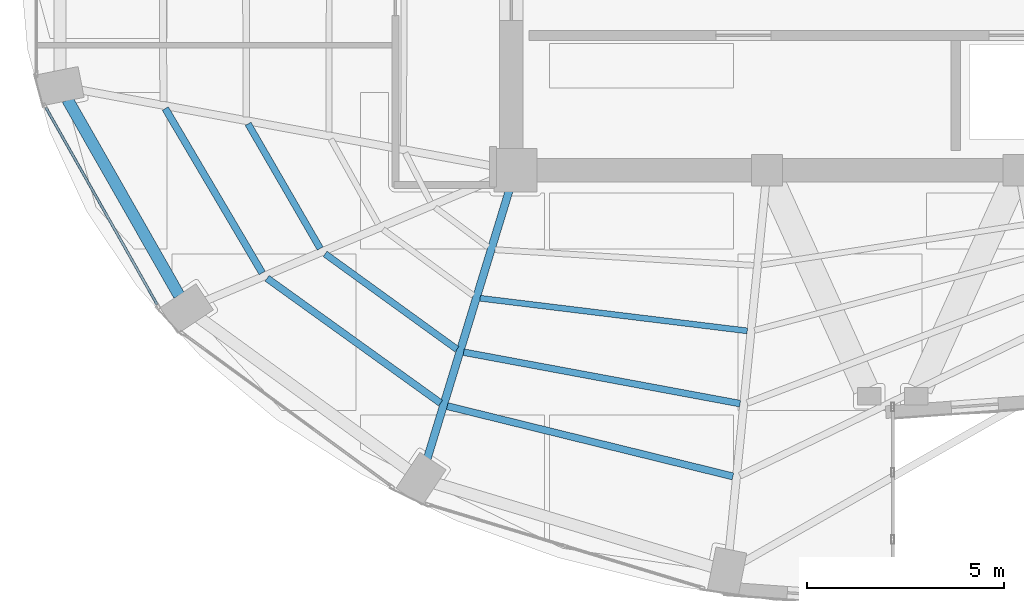
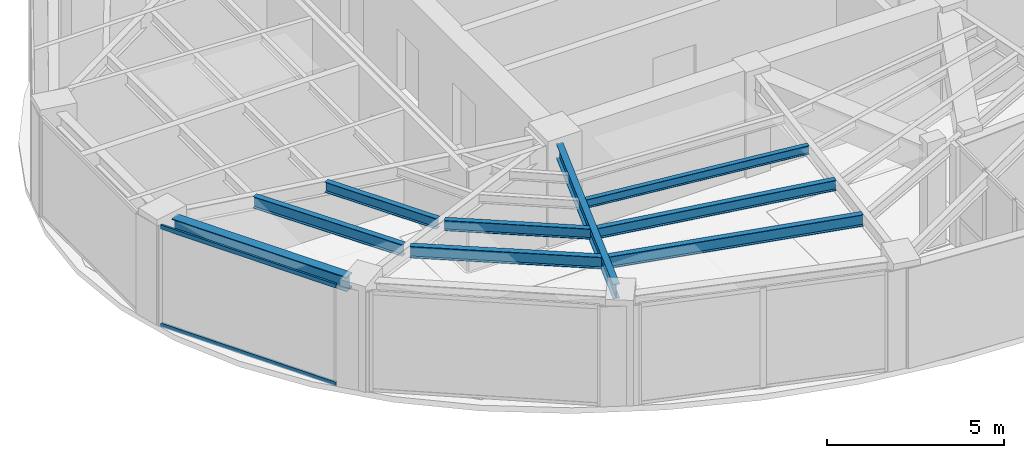
# One storey, part 3 of 23: 9 beams, 2 members, 1 element without a shape of its own.
"""IFC4 building model written with IfcOpenShell, lengths in metres."""

from ifc_helpers import new_model, si_unit, direction, frame, origin, origin_2d, place, context, subcontext, project, spatial, hollow_rectangle, i_section, extrude, material, layer, layer_set, material_profile, profile_set, type_object, element, aggregate, save


model = new_model("IFC4")

# Units and contexts
model_context = context("Model", 3, precision=1e-05, world=origin(), true_north=direction((0.0, 1.0)))
body_context = subcontext(model_context, "Body", "Model", "MODEL_VIEW")
ifc_project = project(units=[si_unit("LENGTHUNIT", "METRE"), si_unit("AREAUNIT", "SQUARE_METRE"), si_unit("VOLUMEUNIT", "CUBIC_METRE"), si_unit("PLANEANGLEUNIT", "RADIAN"), si_unit("MASSUNIT", "GRAM", prefix="KILO")], contexts=[model_context])

# Site, building, storey
site_placement = place(None, origin())
site = spatial("IfcSite", under=ifc_project, at=site_placement, CompositionType="ELEMENT")
building_placement = place(site_placement, origin())
building = spatial("IfcBuilding", under=site, at=building_placement, Name="Lazwardi Medical Tower", CompositionType="ELEMENT")
storey_placement = place(building_placement, frame((0.0, 0.0, 205.77587890625)))
storey = spatial("IfcBuildingStorey", under=building, at=storey_placement, Name="L53", CompositionType="ELEMENT", Elevation=205.77587890625)

# Beams
ifc_material_1 = material(Name="Steel S355", Category="steel")
ifc_material_profile_1 = material_profile(ifc_material_1, i_section(OverallWidth=0.300048828125, OverallDepth=0.5, WebThickness=0.014404296875, FlangeThickness=0.028076171875, at=origin_2d()), Name="HEB 500")
ifc_profile_set_1 = profile_set([ifc_material_profile_1], Name="Steel S355")
beam_type_1 = type_object("IfcBeamType", Name="BM-RB-Z4", PredefinedType="BEAM", material=ifc_profile_set_1)
beam_1_placement = place(storey_placement, frame((15.008056640625, 22.1982421875, 3.1982421875), z_axis=(0.495125273299, -0.868821594886, 0.0), x_axis=(0.868821594886, 0.495125273299, 0.0)))
element("IfcBeam", 1, at=beam_1_placement, inside=storey, type_object=beam_type_1, Name="Ring beam RB-05 B13 L53", PredefinedType="BEAM", context=body_context, shape_type="SweptSolid", body=[
    extrude(i_section(OverallWidth=0.300048828125, OverallDepth=0.5, WebThickness=0.014404296875, FlangeThickness=0.028076171875, at=origin_2d()), origin(), (0.0, 0.0, 1.0), 5.734130859375),
])
ifc_material_profile_2 = material_profile(ifc_material_1, i_section(OverallWidth=0.199951171875, OverallDepth=0.5, WebThickness=0.01025390625, FlangeThickness=0.01611328125, at=origin_2d()), Name="IPE 500")
ifc_profile_set_2 = profile_set([ifc_material_profile_2], Name="Steel S355")
beam_type_2 = type_object("IfcBeamType", Name="BM-RG-W3", PredefinedType="BEAM", material=ifc_profile_set_2)
beam_2_placement = place(storey_placement, frame((24.156005859375, 13.0576171875, 3.1982421875), z_axis=(0.292276716539, 0.956333791607, 0.0), x_axis=(-0.956333791607, 0.292276716539, 0.0)))
element("IfcBeam", 2, at=beam_2_placement, inside=storey, type_object=beam_type_2, Name="Radial girder RG-04 R15 L53", PredefinedType="BEAM", context=body_context, shape_type="SweptSolid", body=[
    extrude(i_section(OverallWidth=0.199951171875, OverallDepth=0.5, WebThickness=0.01025390625, FlangeThickness=0.01611328125, at=origin_2d()), origin(), (0.0, 0.0, 1.0), 7.142822265625),
])
ifc_material_profile_3 = material_profile(ifc_material_1, i_section(OverallWidth=0.179931640625, OverallDepth=0.39990234375, WebThickness=0.008544921875, FlangeThickness=0.013427734375, at=origin_2d()), Name="IPE 400")
ifc_profile_set_3 = profile_set([ifc_material_profile_3], Name="Steel S355")
beam_type_3 = type_object("IfcBeamType", Name="BM-SJ-01", PredefinedType="JOIST", material=ifc_profile_set_3)
beam_3_placement = place(storey_placement, frame((17.495849609375, 21.969482421875, 3.248046875), z_axis=(0.507710311367, -0.861527851977, 0.0), x_axis=(0.861527851977, 0.507710311367, 0.0)))
element("IfcBeam", 3, at=beam_3_placement, inside=storey, type_object=beam_type_3, Name="Secondary joist SJ-01 R1 B13 L53", PredefinedType="JOIST", context=body_context, shape_type="SweptSolid", body=[
    extrude(i_section(OverallWidth=0.179931640625, OverallDepth=0.39990234375, WebThickness=0.008544921875, FlangeThickness=0.013427734375, at=origin_2d()), origin(), (0.0, 0.0, 1.0), 4.852783203125),
])
beam_4_placement = place(storey_placement, frame((20.085205078125, 17.651123046875, 3.248046875), z_axis=(0.811889581337, -0.58381102055, 0.0), x_axis=(0.58381102055, 0.811889581337, 0.0)))
element("IfcBeam", 4, at=beam_4_placement, inside=storey, type_object=beam_type_3, Name="Secondary joist SJ-01 R1 B14 L53", PredefinedType="JOIST", context=body_context, shape_type="SweptSolid", body=[
    extrude(i_section(OverallWidth=0.179931640625, OverallDepth=0.39990234375, WebThickness=0.008544921875, FlangeThickness=0.013427734375, at=origin_2d()), origin(), (0.0, 0.0, 1.0), 5.433349609375),
])
beam_5_placement = place(storey_placement, frame((24.665771484375, 14.40087890625, 3.248046875), z_axis=(0.971041669317, -0.238910184904, 0.0), x_axis=(0.238910184904, 0.971041669317, 0.0)))
element("IfcBeam", 5, at=beam_5_placement, inside=storey, type_object=beam_type_3, Name="Secondary joist SJ-01 R1 B15 L53", PredefinedType="JOIST", context=body_context, shape_type="SweptSolid", body=[
    extrude(i_section(OverallWidth=0.179931640625, OverallDepth=0.39990234375, WebThickness=0.008544921875, FlangeThickness=0.013427734375, at=origin_2d()), origin(), (0.0, 0.0, 1.0), 7.482421875),
])
ifc_material_profile_4 = material_profile(ifc_material_1, i_section(OverallWidth=0.169921875, OverallDepth=0.360107421875, WebThickness=0.008056640625, FlangeThickness=0.0126953125, at=origin_2d()), Name="IPE 360")
ifc_profile_set_4 = profile_set([ifc_material_profile_4], Name="Steel S355")
beam_type_4 = type_object("IfcBeamType", Name="BM-SJ-02", PredefinedType="JOIST", material=ifc_profile_set_4)
beam_6_placement = place(storey_placement, frame((19.601806640625, 21.58056640625, 3.26806640625), z_axis=(0.500655179543, -0.865646805109, 0.0), x_axis=(0.865646805109, 0.500655179543, 0.0)))
element("IfcBeam", 6, at=beam_6_placement, inside=storey, type_object=beam_type_4, Name="Secondary joist SJ-02 R2 B13 L53", PredefinedType="JOIST", context=body_context, shape_type="SweptSolid", body=[
    extrude(i_section(OverallWidth=0.169921875, OverallDepth=0.360107421875, WebThickness=0.008056640625, FlangeThickness=0.0126953125, at=origin_2d()), origin(), (0.0, 0.0, 1.0), 3.662109375),
])
beam_7_placement = place(storey_placement, frame((21.559814453125, 18.2724609375, 3.26806640625), z_axis=(0.810164229155, -0.586202969796, 0.0), x_axis=(0.586202969796, 0.810164229155, 0.0)))
element("IfcBeam", 7, at=beam_7_placement, inside=storey, type_object=beam_type_4, Name="Secondary joist SJ-02 R2 B14 L53", PredefinedType="JOIST", context=body_context, shape_type="SweptSolid", body=[
    extrude(i_section(OverallWidth=0.169921875, OverallDepth=0.360107421875, WebThickness=0.008056640625, FlangeThickness=0.0126953125, at=origin_2d()), origin(), (0.0, 0.0, 1.0), 4.14013671875),
])
beam_8_placement = place(storey_placement, frame((25.08447265625, 15.7724609375, 3.26806640625), z_axis=(0.983132476587, -0.182894870019, 0.0), x_axis=(0.182894870019, 0.983132476587, 0.0)))
element("IfcBeam", 8, at=beam_8_placement, inside=storey, type_object=beam_type_4, Name="Secondary joist SJ-02 R2 B15 L53", PredefinedType="JOIST", context=body_context, shape_type="SweptSolid", body=[
    extrude(i_section(OverallWidth=0.169921875, OverallDepth=0.360107421875, WebThickness=0.008056640625, FlangeThickness=0.0126953125, at=origin_2d()), origin(), (0.0, 0.0, 1.0), 7.15087890625),
])
ifc_material_profile_5 = material_profile(ifc_material_1, i_section(OverallWidth=0.14990234375, OverallDepth=0.300048828125, WebThickness=0.007080078125, FlangeThickness=0.0107421875, at=origin_2d()), Name="IPE 300")
ifc_profile_set_5 = profile_set([ifc_material_profile_5], Name="Steel S355")
beam_type_5 = type_object("IfcBeamType", Name="BM-SJ-03", PredefinedType="JOIST", material=ifc_profile_set_5)
beam_9_placement = place(storey_placement, frame((25.5029296875, 17.14453125, 3.298095703125), z_axis=(0.992634689535, -0.121146081783, 0.0), x_axis=(0.121146081783, 0.992634689535, 0.0)))
element("IfcBeam", 9, at=beam_9_placement, inside=storey, type_object=beam_type_5, Name="Secondary joist SJ-03 R3 B15 L53", PredefinedType="JOIST", context=body_context, shape_type="SweptSolid", body=[
    extrude(i_section(OverallWidth=0.14990234375, OverallDepth=0.300048828125, WebThickness=0.007080078125, FlangeThickness=0.0107421875, at=origin_2d()), origin(), (0.0, 0.0, 1.0), 6.845947265625),
])

# Curtain wall, members
ifc_material_2 = material(Name="Anodised bronze aluminium and solar control glazing", Category="aluminium")
ifc_layer = layer(ifc_material_2, 0.18994140625)
ifc_layer_set = layer_set([ifc_layer], Name="Anodised bronze aluminium and solar control glazing")
curtain_wall_type = type_object("IfcCurtainWallType", Name="CW-SYS-04", PredefinedType="NOTDEFINED", material=ifc_layer_set)
curtain_wall_placement = place(storey_placement, origin())
curtain_wall = element("IfcCurtainWall", 10, at=curtain_wall_placement, inside=storey, type_object=curtain_wall_type, Name="L53 Unitised bronze curtain wall CW-04", PredefinedType="NOTDEFINED")
ifc_material_3 = material(Name="Anodised bronze aluminium", Category="aluminium")
ifc_material_profile_6 = material_profile(ifc_material_3, hollow_rectangle(XDim=0.06494140625, YDim=0.139892578125, WallThickness=0.00341796875, at=origin_2d()), Name="ALU-TRANSOM 140x65x3.5")
ifc_profile_set_6 = profile_set([ifc_material_profile_6], Name="Anodised bronze aluminium")
member_type = type_object("IfcMemberType", Name="CW-TRN-03", PredefinedType="USERDEFINED", material=ifc_profile_set_6)
member_1_placement = place(storey_placement, frame((14.458740234375, 21.993408203125, 0.03271484375), z_axis=(0.491897887635, -0.870652897623, 0.0), x_axis=(0.870652897623, 0.491897887635, 0.0)))
member_1 = element("IfcMember", 11, at=member_1_placement, type_object=member_type, Name="CW-04 transom 1.1", ObjectType="TRANSOM", PredefinedType="USERDEFINED", context=body_context, shape_type="SweptSolid", body=[
    extrude(hollow_rectangle(XDim=0.06494140625, YDim=0.139892578125, WallThickness=0.00341796875, at=origin_2d()), origin(), (0.0, 0.0, 1.0), 5.7548828125),
])
member_2_placement = place(storey_placement, frame((14.458740234375, 21.993408203125, 3.41552734375), z_axis=(0.491897887635, -0.870652897623, 0.0), x_axis=(0.870652897623, 0.491897887635, 0.0)))
member_2 = element("IfcMember", 12, at=member_2_placement, type_object=member_type, Name="CW-04 transom 1.2", ObjectType="TRANSOM", PredefinedType="USERDEFINED", context=body_context, shape_type="SweptSolid", body=[
    extrude(hollow_rectangle(XDim=0.06494140625, YDim=0.139892578125, WallThickness=0.00341796875, at=origin_2d()), origin(), (0.0, 0.0, 1.0), 5.7548828125),
])
aggregate(curtain_wall, [member_1, member_2])

save(model, "model.ifc")
